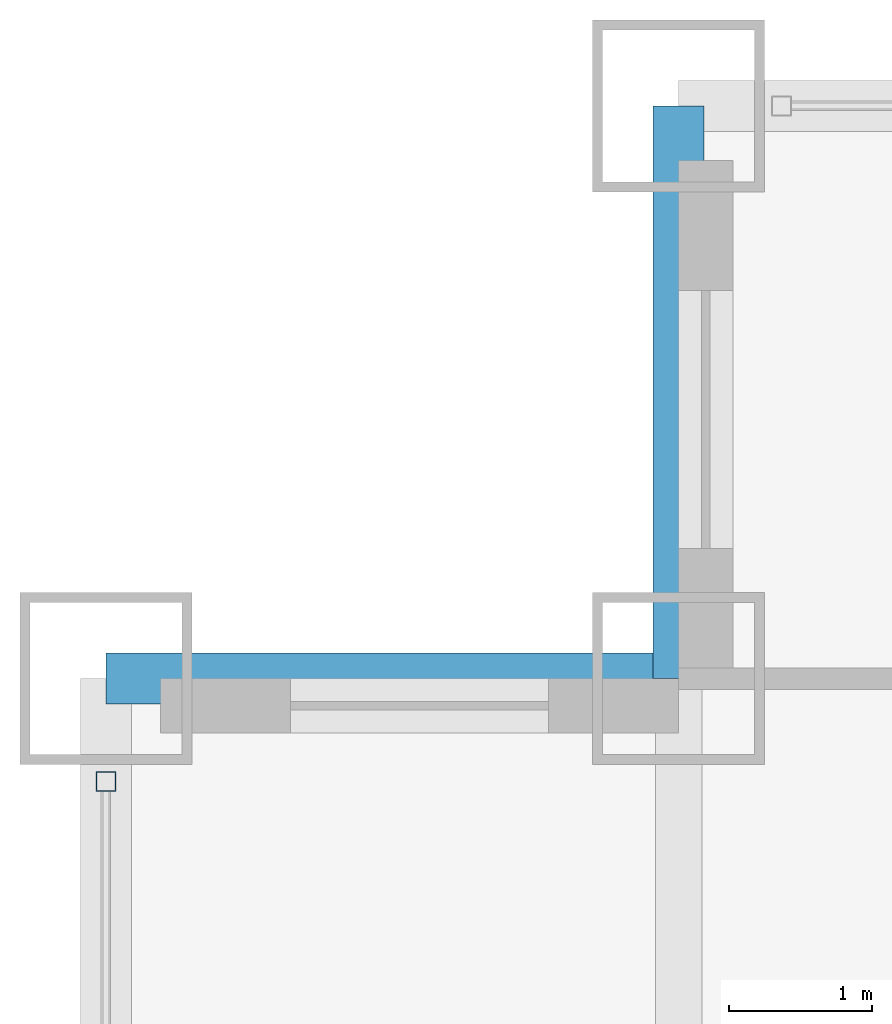
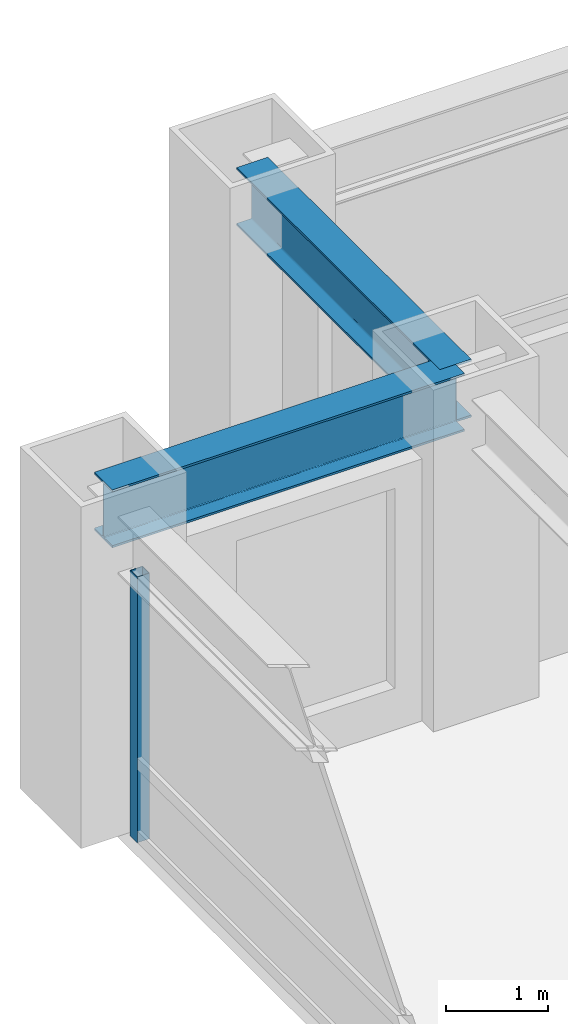
# One storey, part 10 of 27: 2 beams, 1 member, 1 element without a shape of its own.
"""IFC4 building model written with IfcOpenShell, lengths in metres."""

from ifc_helpers import new_model, si_unit, direction, frame, origin, origin_2d, place, context, subcontext, project, spatial, hollow_rectangle, i_section, extrude, source, transform, mapped, material, material_profile, profile_set, type_object, element, aggregate, save


model = new_model("IFC4")

# Units and contexts
model_context = context("Model", 3, precision=1e-05, world=origin(), true_north=direction((0.0, 1.0)))
body_context = subcontext(model_context, "Body", "Model", "MODEL_VIEW")
ifc_project = project(units=[si_unit("LENGTHUNIT", "METRE"), si_unit("AREAUNIT", "SQUARE_METRE"), si_unit("VOLUMEUNIT", "CUBIC_METRE"), si_unit("PLANEANGLEUNIT", "RADIAN"), si_unit("MASSUNIT", "GRAM", prefix="KILO")], contexts=[model_context])

# Site, building, storey
site_placement = place(None, origin())
site = spatial("IfcSite", under=ifc_project, at=site_placement, CompositionType="ELEMENT")
building_placement = place(site_placement, origin())
building = spatial("IfcBuilding", under=site, at=building_placement, Name="Khorayat Bourse Tower", CompositionType="ELEMENT")
storey_placement = place(building_placement, frame((0.0, 0.0, 103.699951171875)))
storey = spatial("IfcBuildingStorey", under=building, at=storey_placement, Name="L23", CompositionType="ELEMENT", Elevation=103.699951171875)

# Beams
ifc_material_1 = material(Name="Steel ASTM A992 Grade 50", Category="steel")
ifc_material_profile_1 = material_profile(ifc_material_1, i_section(OverallWidth=0.35498046875, OverallDepth=0.695068359375, WebThickness=0.015380859375, FlangeThickness=0.02490234375, FilletRadius=0.01806640625, at=origin_2d()), Name="W690X217")
ifc_profile_set_1 = profile_set([ifc_material_profile_1], Name="Steel ASTM A992 Grade 50")
beam_type = type_object("IfcBeamType", Name="BM-SPAN-690", PredefinedType="SPANDREL", material=ifc_profile_set_1)
shared_shape_1 = source(origin(), body_context, "Body", "SweptSolid", [
    extrude(i_section(OverallWidth=0.35498046875, OverallDepth=0.695068359375, WebThickness=0.015380859375, FlangeThickness=0.02490234375, FilletRadius=0.01806640625, at=origin_2d()), origin(), (0.0, 0.0, 1.0), 4.0),
])
for number, where, z_axis, x_axis, name in (
    (1, (-28.0, 28.0, 3.492431640625), (0.0, 1.0, 0.0), (-1.0, 0.0, 0.0), "L23 BM-SPAN-690 BM-L23-SPN-052"),
    (2, (-32.0, 28.0, 3.492431640625), (1.0, 0.0, 0.0), (0.0, 1.0, 0.0), "L23 BM-SPAN-690 BM-L23-SPN-053"),
):
    element("IfcBeam", number, at=place(storey_placement, frame(where, z_axis=z_axis, x_axis=x_axis)), inside=storey, type_object=beam_type, Name=name, PredefinedType="SPANDREL", context=body_context, shape_type="MappedRepresentation", body=[
        mapped(shared_shape_1, transform((0.0, 0.0, 0.0), scale=1.0)),
    ])

# Curtain wall, member
ifc_material_2 = material(Name="Aluminium EN AW-6063 T6", Category="aluminium")
curtain_wall_type = type_object("IfcCurtainWallType", Name="CW-SYS-02", PredefinedType="NOTDEFINED", material=ifc_material_2)
curtain_wall_placement = place(storey_placement, origin())
curtain_wall = element("IfcCurtainWall", 3, at=curtain_wall_placement, inside=storey, type_object=curtain_wall_type, Name="L23 Curtain Wall CW-L23-W1", PredefinedType="NOTDEFINED")
ifc_material_profile_2 = material_profile(ifc_material_2, hollow_rectangle(XDim=0.139892578125, YDim=0.139892578125, WallThickness=0.006103515625, at=origin_2d()), Name="ALU 140x140x6")
ifc_profile_set_2 = profile_set([ifc_material_profile_2], Name="Aluminium EN AW-6063 T6")
member_type = type_object("IfcMemberType", Name="CWM-VERT-140", PredefinedType="MULLION", material=ifc_profile_set_2)
shared_shape_2 = source(origin(), body_context, "Body", "SweptSolid", [
    extrude(hollow_rectangle(XDim=0.139892578125, YDim=0.139892578125, WallThickness=0.006103515625, at=origin_2d()), origin(), (0.0, 0.0, 1.0), 3.18994140625),
])
member_placement = place(storey_placement, frame((-32.0, 27.280029296875, 0.0), z_axis=(0.0, 0.0, 1.0), x_axis=(-1.0, 0.0, 0.0)))
member = element("IfcMember", 4, at=member_placement, type_object=member_type, Name="CW-L23-W1 Vertical Mullion 3", PredefinedType="MULLION", context=body_context, shape_type="MappedRepresentation", body=[
    mapped(shared_shape_2, transform((0.0, 0.0, 0.0), scale=1.0)),
])
aggregate(curtain_wall, [member])

save(model, "model.ifc")
